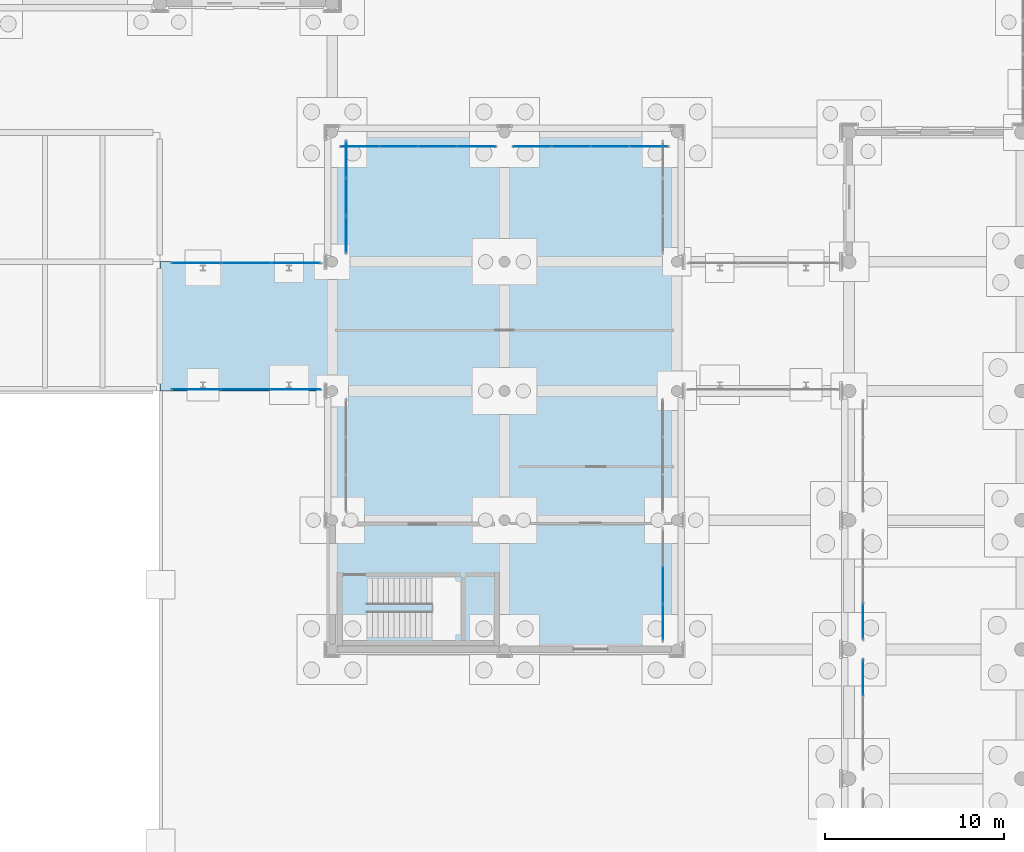
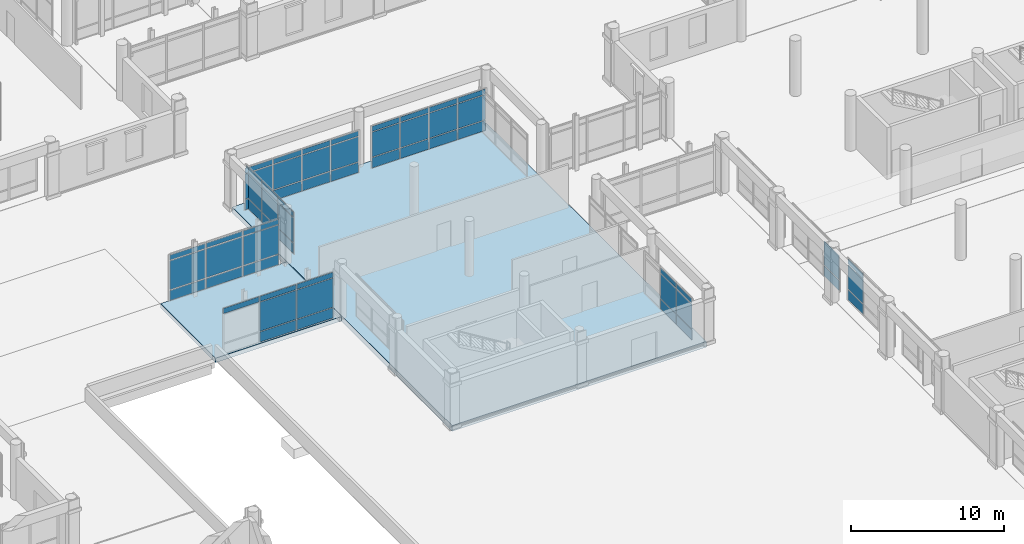
# One storey, part 146 of 196: 60 plates, 2 slabs, 8 elements without a shape of their own.
"""IFC4 building model written with IfcOpenShell, lengths in metres."""

from ifc_helpers import new_model, si_unit, direction, frame, origin, origin_2d, place, context, subcontext, project, spatial, polyline, rectangle, outline, extrude, material, layer, layer_set, type_object, element, aggregate, save


model = new_model("IFC4")

# Units and contexts
model_context = context("Model", 3, precision=1e-05, world=origin(), true_north=direction((0.0, 1.0)))
body_context = subcontext(model_context, "Body", "Model", "MODEL_VIEW")
ifc_project = project(units=[si_unit("LENGTHUNIT", "METRE"), si_unit("AREAUNIT", "SQUARE_METRE"), si_unit("VOLUMEUNIT", "CUBIC_METRE"), si_unit("PLANEANGLEUNIT", "RADIAN"), si_unit("MASSUNIT", "GRAM", prefix="KILO")], contexts=[model_context])

# Site, building, storey
site_placement = place(None, origin())
site = spatial("IfcSite", under=ifc_project, at=site_placement, CompositionType="ELEMENT")
building_placement = place(site_placement, origin())
building = spatial("IfcBuilding", under=site, at=building_placement, Name="Asteropetra Specialist Clinic", CompositionType="ELEMENT")
storey_placement = place(building_placement, origin())
storey = spatial("IfcBuildingStorey", under=building, at=storey_placement, Name="L00", CompositionType="ELEMENT", Elevation=0.0)

# Curtain wall, plates
ifc_material_1 = material(Name="Aluminium and low-E glass", Category="aluminium")
ifc_layer_1 = layer(ifc_material_1, 0.14990234375)
ifc_layer_set_1 = layer_set([ifc_layer_1], Name="Aluminium and low-E glass")
curtain_wall_type_1 = type_object("IfcCurtainWallType", Name="CW-SYS-11", PredefinedType="USERDEFINED", material=ifc_layer_set_1)
curtain_wall_1_placement = place(storey_placement, origin())
curtain_wall_1 = element("IfcCurtainWall", 1, at=curtain_wall_1_placement, inside=storey, type_object=curtain_wall_type_1, Name="Curtain Wall CW-168", ObjectType="STICK GLAZED COLONNADE", PredefinedType="USERDEFINED")
ifc_material_2 = material(Name="Low-E double glazing", Category="glass")
ifc_layer_2 = layer(ifc_material_2, 0.028076171875)
ifc_layer_set_2 = layer_set([ifc_layer_2], Name="Low-E double glazing")
plate_type_1 = type_object("IfcPlateType", Name="CWP-GLZ-28", PredefinedType="CURTAIN_PANEL", material=ifc_layer_set_2)
plate_1_placement = place(storey_placement, frame((95.219970703125, 35.12548828125, 0.074951171875), z_axis=(0.0, 0.0, 1.0), x_axis=(0.0, 1.0, 0.0)))
plate_1 = element("IfcPlate", 2, at=plate_1_placement, type_object=plate_type_1, Name="CW-168 panel 1.1", PredefinedType="CURTAIN_PANEL", context=body_context, shape_type="SweptSolid", body=[
    extrude(rectangle(XDim=1.980712890625, YDim=0.028076171875, at=origin_2d()), origin(), (0.0, 0.0, 1.0), 0.78759765625),
])
plate_2_placement = place(storey_placement, frame((95.219970703125, 35.12548828125, 0.9375), z_axis=(0.0, 0.0, 1.0), x_axis=(0.0, 1.0, 0.0)))
plate_2 = element("IfcPlate", 3, at=plate_2_placement, type_object=plate_type_1, Name="CW-168 panel 1.2", PredefinedType="CURTAIN_PANEL", context=body_context, shape_type="SweptSolid", body=[
    extrude(rectangle(XDim=1.980712890625, YDim=0.028076171875, at=origin_2d()), origin(), (0.0, 0.0, 1.0), 1.965087890625),
])
plate_3_placement = place(storey_placement, frame((95.219970703125, 35.12548828125, 2.9775390625), z_axis=(0.0, 0.0, 1.0), x_axis=(0.0, 1.0, 0.0)))
plate_3 = element("IfcPlate", 4, at=plate_3_placement, type_object=plate_type_1, Name="CW-168 panel 1.3", PredefinedType="CURTAIN_PANEL", context=body_context, shape_type="SweptSolid", body=[
    extrude(rectangle(XDim=1.980712890625, YDim=0.028076171875, at=origin_2d()), origin(), (0.0, 0.0, 1.0), 0.387451171875),
])
plate_4_placement = place(storey_placement, frame((95.219970703125, 37.199951171875, 0.074951171875), z_axis=(0.0, 0.0, 1.0), x_axis=(0.0, 1.0, 0.0)))
plate_4 = element("IfcPlate", 5, at=plate_4_placement, type_object=plate_type_1, Name="CW-168 panel 2.1", PredefinedType="CURTAIN_PANEL", context=body_context, shape_type="SweptSolid", body=[
    extrude(rectangle(XDim=2.018310546875, YDim=0.028076171875, at=origin_2d()), origin(), (0.0, 0.0, 1.0), 0.78759765625),
])
plate_5_placement = place(storey_placement, frame((95.219970703125, 37.199951171875, 0.9375), z_axis=(0.0, 0.0, 1.0), x_axis=(0.0, 1.0, 0.0)))
plate_5 = element("IfcPlate", 6, at=plate_5_placement, type_object=plate_type_1, Name="CW-168 panel 2.2", PredefinedType="CURTAIN_PANEL", context=body_context, shape_type="SweptSolid", body=[
    extrude(rectangle(XDim=2.018310546875, YDim=0.028076171875, at=origin_2d()), origin(), (0.0, 0.0, 1.0), 1.965087890625),
])
plate_6_placement = place(storey_placement, frame((95.219970703125, 37.199951171875, 2.9775390625), z_axis=(0.0, 0.0, 1.0), x_axis=(0.0, 1.0, 0.0)))
plate_6 = element("IfcPlate", 7, at=plate_6_placement, type_object=plate_type_1, Name="CW-168 panel 2.3", PredefinedType="CURTAIN_PANEL", context=body_context, shape_type="SweptSolid", body=[
    extrude(rectangle(XDim=2.018310546875, YDim=0.028076171875, at=origin_2d()), origin(), (0.0, 0.0, 1.0), 0.387451171875),
])
aggregate(curtain_wall_1, [plate_1, plate_2, plate_3, plate_4, plate_5, plate_6])

ifc_material_3 = material(Name="Aluminium and low-E glass", Category="aluminium")
ifc_layer_3 = layer(ifc_material_3, 0.14990234375)
ifc_layer_set_3 = layer_set([ifc_layer_3], Name="Aluminium and low-E glass")
curtain_wall_type_2 = type_object("IfcCurtainWallType", Name="CW-SYS-02", PredefinedType="USERDEFINED", material=ifc_layer_set_3)
curtain_wall_2_placement = place(storey_placement, origin())
curtain_wall_2 = element("IfcCurtainWall", 8, at=curtain_wall_2_placement, inside=storey, type_object=curtain_wall_type_2, Name="Curtain Wall CW-113", ObjectType="UNITISED CURTAIN WALL", PredefinedType="USERDEFINED")
ifc_material_4 = material(Name="Low-E acoustic double glazing", Category="glass")
ifc_layer_4 = layer(ifc_material_4, 0.031982421875)
ifc_layer_set_4 = layer_set([ifc_layer_4], Name="Low-E acoustic double glazing")
plate_type_2 = type_object("IfcPlateType", Name="CWP-GLZ-32", PredefinedType="CURTAIN_PANEL", material=ifc_layer_set_4)
plate_7_placement = place(storey_placement, frame((69.2216796875, 48.080078125, 3.2998046875), z_axis=(0.0, 0.0, 1.0), x_axis=(1.0, 0.0, 0.0)))
plate_7 = element("IfcPlate", 9, at=plate_7_placement, type_object=plate_type_2, Name="CW-113 panel 1.3", PredefinedType="CURTAIN_PANEL", context=body_context, shape_type="SweptSolid", body=[
    extrude(rectangle(XDim=2.703369140625, YDim=0.031982421875, at=origin_2d()), origin(), (0.0, 0.0, 1.0), 0.409912109375),
])
plate_8_placement = place(storey_placement, frame((72.0, 48.080078125, 0.06005859375), z_axis=(0.0, 0.0, 1.0), x_axis=(1.0, 0.0, 0.0)))
plate_8 = element("IfcPlate", 10, at=plate_8_placement, type_object=plate_type_2, Name="CW-113 panel 2.1", PredefinedType="CURTAIN_PANEL", context=body_context, shape_type="SweptSolid", body=[
    extrude(rectangle(XDim=2.7333984375, YDim=0.031982421875, at=origin_2d()), origin(), (0.0, 0.0, 1.0), 0.81005859375),
])
plate_9_placement = place(storey_placement, frame((72.0, 48.080078125, 0.929931640625), z_axis=(0.0, 0.0, 1.0), x_axis=(1.0, 0.0, 0.0)))
plate_9 = element("IfcPlate", 11, at=plate_9_placement, type_object=plate_type_2, Name="CW-113 panel 2.2", PredefinedType="CURTAIN_PANEL", context=body_context, shape_type="SweptSolid", body=[
    extrude(rectangle(XDim=2.7333984375, YDim=0.031982421875, at=origin_2d()), origin(), (0.0, 0.0, 1.0), 2.31005859375),
])
plate_10_placement = place(storey_placement, frame((72.0, 48.080078125, 3.2998046875), z_axis=(0.0, 0.0, 1.0), x_axis=(1.0, 0.0, 0.0)))
plate_10 = element("IfcPlate", 12, at=plate_10_placement, type_object=plate_type_2, Name="CW-113 panel 2.3", PredefinedType="CURTAIN_PANEL", context=body_context, shape_type="SweptSolid", body=[
    extrude(rectangle(XDim=2.7333984375, YDim=0.031982421875, at=origin_2d()), origin(), (0.0, 0.0, 1.0), 0.409912109375),
])
plate_11_placement = place(storey_placement, frame((74.7783203125, 48.080078125, 0.06005859375), z_axis=(0.0, 0.0, 1.0), x_axis=(1.0, 0.0, 0.0)))
plate_11 = element("IfcPlate", 13, at=plate_11_placement, type_object=plate_type_2, Name="CW-113 panel 3.1", PredefinedType="CURTAIN_PANEL", context=body_context, shape_type="SweptSolid", body=[
    extrude(rectangle(XDim=2.703369140625, YDim=0.031982421875, at=origin_2d()), origin(), (0.0, 0.0, 1.0), 0.81005859375),
])
plate_12_placement = place(storey_placement, frame((74.7783203125, 48.080078125, 0.929931640625), z_axis=(0.0, 0.0, 1.0), x_axis=(1.0, 0.0, 0.0)))
plate_12 = element("IfcPlate", 14, at=plate_12_placement, type_object=plate_type_2, Name="CW-113 panel 3.2", PredefinedType="CURTAIN_PANEL", context=body_context, shape_type="SweptSolid", body=[
    extrude(rectangle(XDim=2.703369140625, YDim=0.031982421875, at=origin_2d()), origin(), (0.0, 0.0, 1.0), 2.31005859375),
])
plate_13_placement = place(storey_placement, frame((74.7783203125, 48.080078125, 3.2998046875), z_axis=(0.0, 0.0, 1.0), x_axis=(1.0, 0.0, 0.0)))
plate_13 = element("IfcPlate", 15, at=plate_13_placement, type_object=plate_type_2, Name="CW-113 panel 3.3", PredefinedType="CURTAIN_PANEL", context=body_context, shape_type="SweptSolid", body=[
    extrude(rectangle(XDim=2.703369140625, YDim=0.031982421875, at=origin_2d()), origin(), (0.0, 0.0, 1.0), 0.409912109375),
])
aggregate(curtain_wall_2, [plate_7, plate_8, plate_9, plate_10, plate_11, plate_12, plate_13])

ifc_material_5 = material(Name="Aluminium and low-E glass", Category="aluminium")
ifc_layer_5 = layer(ifc_material_5, 0.135009765625)
ifc_layer_set_5 = layer_set([ifc_layer_5], Name="Aluminium and low-E glass")
curtain_wall_type_3 = type_object("IfcCurtainWallType", Name="CW-SYS-12", PredefinedType="USERDEFINED", material=ifc_layer_set_5)
curtain_wall_3_placement = place(storey_placement, origin())
curtain_wall_3 = element("IfcCurtainWall", 16, at=curtain_wall_3_placement, inside=storey, type_object=curtain_wall_type_3, Name="Curtain Wall CW-201", ObjectType="STICK GLAZED COLONNADE", PredefinedType="USERDEFINED")
plate_14_placement = place(storey_placement, frame((106.3798828125, 32.024658203125, 0.074951171875), z_axis=(0.0, 0.0, 1.0), x_axis=(0.0, -1.0, 0.0)))
plate_14 = element("IfcPlate", 17, at=plate_14_placement, type_object=plate_type_2, Name="CW-201 panel 1.1", PredefinedType="CURTAIN_PANEL", context=body_context, shape_type="SweptSolid", body=[
    extrude(rectangle(XDim=1.930908203125, YDim=0.031982421875, at=origin_2d()), origin(), (0.0, 0.0, 1.0), 0.78759765625),
])
plate_15_placement = place(storey_placement, frame((106.3798828125, 32.024658203125, 0.9375), z_axis=(0.0, 0.0, 1.0), x_axis=(0.0, -1.0, 0.0)))
plate_15 = element("IfcPlate", 18, at=plate_15_placement, type_object=plate_type_2, Name="CW-201 panel 1.2", PredefinedType="CURTAIN_PANEL", context=body_context, shape_type="SweptSolid", body=[
    extrude(rectangle(XDim=1.930908203125, YDim=0.031982421875, at=origin_2d()), origin(), (0.0, 0.0, 1.0), 1.925048828125),
])
plate_16_placement = place(storey_placement, frame((106.3798828125, 32.024658203125, 2.9375), z_axis=(0.0, 0.0, 1.0), x_axis=(0.0, -1.0, 0.0)))
plate_16 = element("IfcPlate", 19, at=plate_16_placement, type_object=plate_type_2, Name="CW-201 panel 1.3", PredefinedType="CURTAIN_PANEL", context=body_context, shape_type="SweptSolid", body=[
    extrude(rectangle(XDim=1.930908203125, YDim=0.031982421875, at=origin_2d()), origin(), (0.0, 0.0, 1.0), 0.387451171875),
])
aggregate(curtain_wall_3, [plate_14, plate_15, plate_16])

ifc_material_6 = material(Name="Aluminium and low-E glass", Category="aluminium")
ifc_layer_6 = layer(ifc_material_6, 0.135009765625)
ifc_layer_set_6 = layer_set([ifc_layer_6], Name="Aluminium and low-E glass")
curtain_wall_type_4 = type_object("IfcCurtainWallType", Name="CW-SYS-03", PredefinedType="USERDEFINED", material=ifc_layer_set_6)
curtain_wall_4_placement = place(storey_placement, origin())
curtain_wall_4 = element("IfcCurtainWall", 20, at=curtain_wall_4_placement, inside=storey, type_object=curtain_wall_type_4, Name="Curtain Wall CW-114", ObjectType="UNITISED CURTAIN WALL", PredefinedType="USERDEFINED")
ifc_material_7 = material(Name="Solar-control triple glazing", Category="glass")
ifc_layer_7 = layer(ifc_material_7, 0.035888671875)
ifc_layer_set_7 = layer_set([ifc_layer_7], Name="Solar-control triple glazing")
plate_type_3 = type_object("IfcPlateType", Name="CWP-GLZ-36", PredefinedType="CURTAIN_PANEL", material=ifc_layer_set_7)
plate_17_placement = place(storey_placement, frame((74.774658203125, 55.1201171875, 0.074951171875), z_axis=(0.0, 0.0, 1.0), x_axis=(-1.0, 0.0, 0.0)))
plate_17 = element("IfcPlate", 21, at=plate_17_placement, type_object=plate_type_3, Name="CW-114 panel 1.1", PredefinedType="CURTAIN_PANEL", context=body_context, shape_type="SweptSolid", body=[
    extrude(rectangle(XDim=2.680908203125, YDim=0.035888671875, at=origin_2d()), origin(), (0.0, 0.0, 1.0), 0.78759765625),
])
plate_18_placement = place(storey_placement, frame((74.774658203125, 55.1201171875, 0.9375), z_axis=(0.0, 0.0, 1.0), x_axis=(-1.0, 0.0, 0.0)))
plate_18 = element("IfcPlate", 22, at=plate_18_placement, type_object=plate_type_3, Name="CW-114 panel 1.2", PredefinedType="CURTAIN_PANEL", context=body_context, shape_type="SweptSolid", body=[
    extrude(rectangle(XDim=2.680908203125, YDim=0.035888671875, at=origin_2d()), origin(), (0.0, 0.0, 1.0), 2.294921875),
])
plate_19_placement = place(storey_placement, frame((74.774658203125, 55.1201171875, 3.3076171875), z_axis=(0.0, 0.0, 1.0), x_axis=(-1.0, 0.0, 0.0)))
plate_19 = element("IfcPlate", 23, at=plate_19_placement, type_object=plate_type_3, Name="CW-114 panel 1.3", PredefinedType="CURTAIN_PANEL", context=body_context, shape_type="SweptSolid", body=[
    extrude(rectangle(XDim=2.680908203125, YDim=0.035888671875, at=origin_2d()), origin(), (0.0, 0.0, 1.0), 0.387451171875),
])
plate_20_placement = place(storey_placement, frame((72.0, 55.1201171875, 0.074951171875), z_axis=(0.0, 0.0, 1.0), x_axis=(-1.0, 0.0, 0.0)))
plate_20 = element("IfcPlate", 24, at=plate_20_placement, type_object=plate_type_3, Name="CW-114 panel 2.1", PredefinedType="CURTAIN_PANEL", context=body_context, shape_type="SweptSolid", body=[
    extrude(rectangle(XDim=2.71826171875, YDim=0.035888671875, at=origin_2d()), origin(), (0.0, 0.0, 1.0), 0.78759765625),
])
plate_21_placement = place(storey_placement, frame((72.0, 55.1201171875, 0.9375), z_axis=(0.0, 0.0, 1.0), x_axis=(-1.0, 0.0, 0.0)))
plate_21 = element("IfcPlate", 25, at=plate_21_placement, type_object=plate_type_3, Name="CW-114 panel 2.2", PredefinedType="CURTAIN_PANEL", context=body_context, shape_type="SweptSolid", body=[
    extrude(rectangle(XDim=2.71826171875, YDim=0.035888671875, at=origin_2d()), origin(), (0.0, 0.0, 1.0), 2.294921875),
])
plate_22_placement = place(storey_placement, frame((72.0, 55.1201171875, 3.3076171875), z_axis=(0.0, 0.0, 1.0), x_axis=(-1.0, 0.0, 0.0)))
plate_22 = element("IfcPlate", 26, at=plate_22_placement, type_object=plate_type_3, Name="CW-114 panel 2.3", PredefinedType="CURTAIN_PANEL", context=body_context, shape_type="SweptSolid", body=[
    extrude(rectangle(XDim=2.71826171875, YDim=0.035888671875, at=origin_2d()), origin(), (0.0, 0.0, 1.0), 0.387451171875),
])
plate_23_placement = place(storey_placement, frame((69.225341796875, 55.1201171875, 0.074951171875), z_axis=(0.0, 0.0, 1.0), x_axis=(-1.0, 0.0, 0.0)))
plate_23 = element("IfcPlate", 27, at=plate_23_placement, type_object=plate_type_3, Name="CW-114 panel 3.1", PredefinedType="CURTAIN_PANEL", context=body_context, shape_type="SweptSolid", body=[
    extrude(rectangle(XDim=2.680908203125, YDim=0.035888671875, at=origin_2d()), origin(), (0.0, 0.0, 1.0), 0.78759765625),
])
plate_24_placement = place(storey_placement, frame((69.225341796875, 55.1201171875, 0.9375), z_axis=(0.0, 0.0, 1.0), x_axis=(-1.0, 0.0, 0.0)))
plate_24 = element("IfcPlate", 28, at=plate_24_placement, type_object=plate_type_3, Name="CW-114 panel 3.2", PredefinedType="CURTAIN_PANEL", context=body_context, shape_type="SweptSolid", body=[
    extrude(rectangle(XDim=2.680908203125, YDim=0.035888671875, at=origin_2d()), origin(), (0.0, 0.0, 1.0), 2.294921875),
])
plate_25_placement = place(storey_placement, frame((69.225341796875, 55.1201171875, 3.3076171875), z_axis=(0.0, 0.0, 1.0), x_axis=(-1.0, 0.0, 0.0)))
plate_25 = element("IfcPlate", 29, at=plate_25_placement, type_object=plate_type_3, Name="CW-114 panel 3.3", PredefinedType="CURTAIN_PANEL", context=body_context, shape_type="SweptSolid", body=[
    extrude(rectangle(XDim=2.680908203125, YDim=0.035888671875, at=origin_2d()), origin(), (0.0, 0.0, 1.0), 0.387451171875),
])
aggregate(curtain_wall_4, [plate_17, plate_18, plate_19, plate_20, plate_21, plate_22, plate_23, plate_24, plate_25])

ifc_material_8 = material(Name="Aluminium and low-E glass", Category="aluminium")
ifc_layer_8 = layer(ifc_material_8, 0.135009765625)
ifc_layer_set_8 = layer_set([ifc_layer_8], Name="Aluminium and low-E glass")
curtain_wall_type_5 = type_object("IfcCurtainWallType", Name="CW-SYS-09", PredefinedType="USERDEFINED", material=ifc_layer_set_8)
curtain_wall_5_placement = place(storey_placement, origin())
curtain_wall_5 = element("IfcCurtainWall", 30, at=curtain_wall_5_placement, inside=storey, type_object=curtain_wall_type_5, Name="Curtain Wall CW-166", ObjectType="STICK GLAZED COLONNADE", PredefinedType="USERDEFINED")
plate_26_placement = place(storey_placement, frame((84.8388671875, 61.6201171875, 0.06494140625), z_axis=(0.0, 0.0, 1.0), x_axis=(-1.0, 0.0, 0.0)))
plate_26 = element("IfcPlate", 31, at=plate_26_placement, type_object=plate_type_3, Name="CW-166 panel 1.1", PredefinedType="CURTAIN_PANEL", context=body_context, shape_type="SweptSolid", body=[
    extrude(rectangle(XDim=2.072509765625, YDim=0.035888671875, at=origin_2d()), origin(), (0.0, 0.0, 1.0), 0.802490234375),
])
plate_27_placement = place(storey_placement, frame((84.8388671875, 61.6201171875, 0.932373046875), z_axis=(0.0, 0.0, 1.0), x_axis=(-1.0, 0.0, 0.0)))
plate_27 = element("IfcPlate", 32, at=plate_27_placement, type_object=plate_type_3, Name="CW-166 panel 1.2", PredefinedType="CURTAIN_PANEL", context=body_context, shape_type="SweptSolid", body=[
    extrude(rectangle(XDim=2.072509765625, YDim=0.035888671875, at=origin_2d()), origin(), (0.0, 0.0, 1.0), 1.97509765625),
])
plate_28_placement = place(storey_placement, frame((84.8388671875, 61.6201171875, 2.97265625), z_axis=(0.0, 0.0, 1.0), x_axis=(-1.0, 0.0, 0.0)))
plate_28 = element("IfcPlate", 33, at=plate_28_placement, type_object=plate_type_3, Name="CW-166 panel 1.3", PredefinedType="CURTAIN_PANEL", context=body_context, shape_type="SweptSolid", body=[
    extrude(rectangle(XDim=2.072509765625, YDim=0.035888671875, at=origin_2d()), origin(), (0.0, 0.0, 1.0), 0.402587890625),
])
plate_29_placement = place(storey_placement, frame((82.68505859375, 61.6201171875, 0.06494140625), z_axis=(0.0, 0.0, 1.0), x_axis=(-1.0, 0.0, 0.0)))
plate_29 = element("IfcPlate", 34, at=plate_29_placement, type_object=plate_type_3, Name="CW-166 panel 2.1", PredefinedType="CURTAIN_PANEL", context=body_context, shape_type="SweptSolid", body=[
    extrude(rectangle(XDim=2.10498046875, YDim=0.035888671875, at=origin_2d()), origin(), (0.0, 0.0, 1.0), 0.802490234375),
])
plate_30_placement = place(storey_placement, frame((82.68505859375, 61.6201171875, 0.932373046875), z_axis=(0.0, 0.0, 1.0), x_axis=(-1.0, 0.0, 0.0)))
plate_30 = element("IfcPlate", 35, at=plate_30_placement, type_object=plate_type_3, Name="CW-166 panel 2.2", PredefinedType="CURTAIN_PANEL", context=body_context, shape_type="SweptSolid", body=[
    extrude(rectangle(XDim=2.10498046875, YDim=0.035888671875, at=origin_2d()), origin(), (0.0, 0.0, 1.0), 1.97509765625),
])
plate_31_placement = place(storey_placement, frame((82.68505859375, 61.6201171875, 2.97265625), z_axis=(0.0, 0.0, 1.0), x_axis=(-1.0, 0.0, 0.0)))
plate_31 = element("IfcPlate", 36, at=plate_31_placement, type_object=plate_type_3, Name="CW-166 panel 2.3", PredefinedType="CURTAIN_PANEL", context=body_context, shape_type="SweptSolid", body=[
    extrude(rectangle(XDim=2.10498046875, YDim=0.035888671875, at=origin_2d()), origin(), (0.0, 0.0, 1.0), 0.402587890625),
])
plate_32_placement = place(storey_placement, frame((80.514892578125, 61.6201171875, 0.06494140625), z_axis=(0.0, 0.0, 1.0), x_axis=(-1.0, 0.0, 0.0)))
plate_32 = element("IfcPlate", 37, at=plate_32_placement, type_object=plate_type_3, Name="CW-166 panel 3.1", PredefinedType="CURTAIN_PANEL", context=body_context, shape_type="SweptSolid", body=[
    extrude(rectangle(XDim=2.10498046875, YDim=0.035888671875, at=origin_2d()), origin(), (0.0, 0.0, 1.0), 0.802490234375),
])
plate_33_placement = place(storey_placement, frame((80.514892578125, 61.6201171875, 0.932373046875), z_axis=(0.0, 0.0, 1.0), x_axis=(-1.0, 0.0, 0.0)))
plate_33 = element("IfcPlate", 38, at=plate_33_placement, type_object=plate_type_3, Name="CW-166 panel 3.2", PredefinedType="CURTAIN_PANEL", context=body_context, shape_type="SweptSolid", body=[
    extrude(rectangle(XDim=2.10498046875, YDim=0.035888671875, at=origin_2d()), origin(), (0.0, 0.0, 1.0), 1.97509765625),
])
plate_34_placement = place(storey_placement, frame((80.514892578125, 61.6201171875, 2.97265625), z_axis=(0.0, 0.0, 1.0), x_axis=(-1.0, 0.0, 0.0)))
plate_34 = element("IfcPlate", 39, at=plate_34_placement, type_object=plate_type_3, Name="CW-166 panel 3.3", PredefinedType="CURTAIN_PANEL", context=body_context, shape_type="SweptSolid", body=[
    extrude(rectangle(XDim=2.10498046875, YDim=0.035888671875, at=origin_2d()), origin(), (0.0, 0.0, 1.0), 0.402587890625),
])
plate_35_placement = place(storey_placement, frame((78.361328125, 61.6201171875, 0.06494140625), z_axis=(0.0, 0.0, 1.0), x_axis=(-1.0, 0.0, 0.0)))
plate_35 = element("IfcPlate", 40, at=plate_35_placement, type_object=plate_type_3, Name="CW-166 panel 4.1", PredefinedType="CURTAIN_PANEL", context=body_context, shape_type="SweptSolid", body=[
    extrude(rectangle(XDim=2.072509765625, YDim=0.035888671875, at=origin_2d()), origin(), (0.0, 0.0, 1.0), 0.802490234375),
])
plate_36_placement = place(storey_placement, frame((78.361328125, 61.6201171875, 0.932373046875), z_axis=(0.0, 0.0, 1.0), x_axis=(-1.0, 0.0, 0.0)))
plate_36 = element("IfcPlate", 41, at=plate_36_placement, type_object=plate_type_3, Name="CW-166 panel 4.2", PredefinedType="CURTAIN_PANEL", context=body_context, shape_type="SweptSolid", body=[
    extrude(rectangle(XDim=2.072509765625, YDim=0.035888671875, at=origin_2d()), origin(), (0.0, 0.0, 1.0), 1.97509765625),
])
plate_37_placement = place(storey_placement, frame((78.361328125, 61.6201171875, 2.97265625), z_axis=(0.0, 0.0, 1.0), x_axis=(-1.0, 0.0, 0.0)))
plate_37 = element("IfcPlate", 42, at=plate_37_placement, type_object=plate_type_3, Name="CW-166 panel 4.3", PredefinedType="CURTAIN_PANEL", context=body_context, shape_type="SweptSolid", body=[
    extrude(rectangle(XDim=2.072509765625, YDim=0.035888671875, at=origin_2d()), origin(), (0.0, 0.0, 1.0), 0.402587890625),
])
aggregate(curtain_wall_5, [plate_26, plate_27, plate_28, plate_29, plate_30, plate_31, plate_32, plate_33, plate_34, plate_35, plate_36, plate_37])

curtain_wall_6_placement = place(storey_placement, origin())
curtain_wall_6 = element("IfcCurtainWall", 43, at=curtain_wall_6_placement, inside=storey, type_object=curtain_wall_type_1, Name="Curtain Wall CW-202", ObjectType="STICK GLAZED COLONNADE", PredefinedType="USERDEFINED")
plate_38_placement = place(storey_placement, frame((106.3798828125, 35.1728515625, 0.06494140625), z_axis=(0.0, 0.0, 1.0), x_axis=(0.0, -1.0, 0.0)))
plate_38 = element("IfcPlate", 44, at=plate_38_placement, type_object=plate_type_3, Name="CW-202 panel 3.1", PredefinedType="CURTAIN_PANEL", context=body_context, shape_type="SweptSolid", body=[
    extrude(rectangle(XDim=1.94580078125, YDim=0.035888671875, at=origin_2d()), origin(), (0.0, 0.0, 1.0), 0.802490234375),
])
plate_39_placement = place(storey_placement, frame((106.3798828125, 35.1728515625, 0.932373046875), z_axis=(0.0, 0.0, 1.0), x_axis=(0.0, -1.0, 0.0)))
plate_39 = element("IfcPlate", 45, at=plate_39_placement, type_object=plate_type_3, Name="CW-202 panel 3.2", PredefinedType="CURTAIN_PANEL", context=body_context, shape_type="SweptSolid", body=[
    extrude(rectangle(XDim=1.94580078125, YDim=0.035888671875, at=origin_2d()), origin(), (0.0, 0.0, 1.0), 1.93505859375),
])
aggregate(curtain_wall_6, [plate_38, plate_39])

curtain_wall_7_placement = place(storey_placement, origin())
curtain_wall_7 = element("IfcCurtainWall", 46, at=curtain_wall_7_placement, inside=storey, type_object=curtain_wall_type_1, Name="Curtain Wall CW-167", ObjectType="STICK GLAZED COLONNADE", PredefinedType="USERDEFINED")
ifc_material_9 = material(Name="Laminated skylight glazing", Category="glass")
ifc_layer_9 = layer(ifc_material_9, 0.0400390625)
ifc_layer_set_9 = layer_set([ifc_layer_9], Name="Laminated skylight glazing")
plate_type_4 = type_object("IfcPlateType", Name="CWP-GLZ-40", PredefinedType="CURTAIN_PANEL", material=ifc_layer_set_9)
plate_40_placement = place(storey_placement, frame((94.43994140625, 61.6201171875, 0.06005859375), z_axis=(0.0, 0.0, 1.0), x_axis=(-1.0, 0.0, 0.0)))
plate_40 = element("IfcPlate", 47, at=plate_40_placement, type_object=plate_type_4, Name="CW-167 panel 1.1", PredefinedType="CURTAIN_PANEL", context=body_context, shape_type="SweptSolid", body=[
    extrude(rectangle(XDim=2.080078125, YDim=0.0400390625, at=origin_2d()), origin(), (0.0, 0.0, 1.0), 0.81005859375),
])
plate_41_placement = place(storey_placement, frame((94.43994140625, 61.6201171875, 0.929931640625), z_axis=(0.0, 0.0, 1.0), x_axis=(-1.0, 0.0, 0.0)))
plate_41 = element("IfcPlate", 48, at=plate_41_placement, type_object=plate_type_4, Name="CW-167 panel 1.2", PredefinedType="CURTAIN_PANEL", context=body_context, shape_type="SweptSolid", body=[
    extrude(rectangle(XDim=2.080078125, YDim=0.0400390625, at=origin_2d()), origin(), (0.0, 0.0, 1.0), 1.97998046875),
])
plate_42_placement = place(storey_placement, frame((94.43994140625, 61.6201171875, 2.97021484375), z_axis=(0.0, 0.0, 1.0), x_axis=(-1.0, 0.0, 0.0)))
plate_42 = element("IfcPlate", 49, at=plate_42_placement, type_object=plate_type_4, Name="CW-167 panel 1.3", PredefinedType="CURTAIN_PANEL", context=body_context, shape_type="SweptSolid", body=[
    extrude(rectangle(XDim=2.080078125, YDim=0.0400390625, at=origin_2d()), origin(), (0.0, 0.0, 1.0), 0.409912109375),
])
plate_43_placement = place(storey_placement, frame((92.284912109375, 61.6201171875, 0.06005859375), z_axis=(0.0, 0.0, 1.0), x_axis=(-1.0, 0.0, 0.0)))
plate_43 = element("IfcPlate", 50, at=plate_43_placement, type_object=plate_type_4, Name="CW-167 panel 2.1", PredefinedType="CURTAIN_PANEL", context=body_context, shape_type="SweptSolid", body=[
    extrude(rectangle(XDim=2.110107421875, YDim=0.0400390625, at=origin_2d()), origin(), (0.0, 0.0, 1.0), 0.81005859375),
])
plate_44_placement = place(storey_placement, frame((92.284912109375, 61.6201171875, 0.929931640625), z_axis=(0.0, 0.0, 1.0), x_axis=(-1.0, 0.0, 0.0)))
plate_44 = element("IfcPlate", 51, at=plate_44_placement, type_object=plate_type_4, Name="CW-167 panel 2.2", PredefinedType="CURTAIN_PANEL", context=body_context, shape_type="SweptSolid", body=[
    extrude(rectangle(XDim=2.110107421875, YDim=0.0400390625, at=origin_2d()), origin(), (0.0, 0.0, 1.0), 1.97998046875),
])
plate_45_placement = place(storey_placement, frame((92.284912109375, 61.6201171875, 2.97021484375), z_axis=(0.0, 0.0, 1.0), x_axis=(-1.0, 0.0, 0.0)))
plate_45 = element("IfcPlate", 52, at=plate_45_placement, type_object=plate_type_4, Name="CW-167 panel 2.3", PredefinedType="CURTAIN_PANEL", context=body_context, shape_type="SweptSolid", body=[
    extrude(rectangle(XDim=2.110107421875, YDim=0.0400390625, at=origin_2d()), origin(), (0.0, 0.0, 1.0), 0.409912109375),
])
plate_46_placement = place(storey_placement, frame((90.114990234375, 61.6201171875, 0.06005859375), z_axis=(0.0, 0.0, 1.0), x_axis=(-1.0, 0.0, 0.0)))
plate_46 = element("IfcPlate", 53, at=plate_46_placement, type_object=plate_type_4, Name="CW-167 panel 3.1", PredefinedType="CURTAIN_PANEL", context=body_context, shape_type="SweptSolid", body=[
    extrude(rectangle(XDim=2.110107421875, YDim=0.0400390625, at=origin_2d()), origin(), (0.0, 0.0, 1.0), 0.81005859375),
])
plate_47_placement = place(storey_placement, frame((90.114990234375, 61.6201171875, 0.929931640625), z_axis=(0.0, 0.0, 1.0), x_axis=(-1.0, 0.0, 0.0)))
plate_47 = element("IfcPlate", 54, at=plate_47_placement, type_object=plate_type_4, Name="CW-167 panel 3.2", PredefinedType="CURTAIN_PANEL", context=body_context, shape_type="SweptSolid", body=[
    extrude(rectangle(XDim=2.110107421875, YDim=0.0400390625, at=origin_2d()), origin(), (0.0, 0.0, 1.0), 1.97998046875),
])
plate_48_placement = place(storey_placement, frame((90.114990234375, 61.6201171875, 2.97021484375), z_axis=(0.0, 0.0, 1.0), x_axis=(-1.0, 0.0, 0.0)))
plate_48 = element("IfcPlate", 55, at=plate_48_placement, type_object=plate_type_4, Name="CW-167 panel 3.3", PredefinedType="CURTAIN_PANEL", context=body_context, shape_type="SweptSolid", body=[
    extrude(rectangle(XDim=2.110107421875, YDim=0.0400390625, at=origin_2d()), origin(), (0.0, 0.0, 1.0), 0.409912109375),
])
plate_49_placement = place(storey_placement, frame((87.9599609375, 61.6201171875, 0.06005859375), z_axis=(0.0, 0.0, 1.0), x_axis=(-1.0, 0.0, 0.0)))
plate_49 = element("IfcPlate", 56, at=plate_49_placement, type_object=plate_type_4, Name="CW-167 panel 4.1", PredefinedType="CURTAIN_PANEL", context=body_context, shape_type="SweptSolid", body=[
    extrude(rectangle(XDim=2.080078125, YDim=0.0400390625, at=origin_2d()), origin(), (0.0, 0.0, 1.0), 0.81005859375),
])
plate_50_placement = place(storey_placement, frame((87.9599609375, 61.6201171875, 0.929931640625), z_axis=(0.0, 0.0, 1.0), x_axis=(-1.0, 0.0, 0.0)))
plate_50 = element("IfcPlate", 57, at=plate_50_placement, type_object=plate_type_4, Name="CW-167 panel 4.2", PredefinedType="CURTAIN_PANEL", context=body_context, shape_type="SweptSolid", body=[
    extrude(rectangle(XDim=2.080078125, YDim=0.0400390625, at=origin_2d()), origin(), (0.0, 0.0, 1.0), 1.97998046875),
])
plate_51_placement = place(storey_placement, frame((87.9599609375, 61.6201171875, 2.97021484375), z_axis=(0.0, 0.0, 1.0), x_axis=(-1.0, 0.0, 0.0)))
plate_51 = element("IfcPlate", 58, at=plate_51_placement, type_object=plate_type_4, Name="CW-167 panel 4.3", PredefinedType="CURTAIN_PANEL", context=body_context, shape_type="SweptSolid", body=[
    extrude(rectangle(XDim=2.080078125, YDim=0.0400390625, at=origin_2d()), origin(), (0.0, 0.0, 1.0), 0.409912109375),
])
aggregate(curtain_wall_7, [plate_40, plate_41, plate_42, plate_43, plate_44, plate_45, plate_46, plate_47, plate_48, plate_49, plate_50, plate_51])

ifc_material_10 = material(Name="Aluminium and low-E glass", Category="aluminium")
ifc_layer_10 = layer(ifc_material_10, 0.179931640625)
ifc_layer_set_10 = layer_set([ifc_layer_10], Name="Aluminium and low-E glass")
curtain_wall_type_6 = type_object("IfcCurtainWallType", Name="CW-SYS-01", PredefinedType="USERDEFINED", material=ifc_layer_set_10)
curtain_wall_8_placement = place(storey_placement, origin())
curtain_wall_8 = element("IfcCurtainWall", 59, at=curtain_wall_8_placement, inside=storey, type_object=curtain_wall_type_6, Name="Curtain Wall CW-171", ObjectType="UNITISED CURTAIN WALL", PredefinedType="USERDEFINED")
plate_52_placement = place(storey_placement, frame((77.580078125, 60.87451171875, 0.074951171875), z_axis=(0.0, 0.0, 1.0), x_axis=(0.0, -1.0, 0.0)))
plate_52 = element("IfcPlate", 60, at=plate_52_placement, type_object=plate_type_4, Name="CW-171 panel 1.1", PredefinedType="CURTAIN_PANEL", context=body_context, shape_type="SweptSolid", body=[
    extrude(rectangle(XDim=1.980712890625, YDim=0.0400390625, at=origin_2d()), origin(), (0.0, 0.0, 1.0), 0.78759765625),
])
plate_53_placement = place(storey_placement, frame((77.580078125, 60.87451171875, 0.9375), z_axis=(0.0, 0.0, 1.0), x_axis=(0.0, -1.0, 0.0)))
plate_53 = element("IfcPlate", 61, at=plate_53_placement, type_object=plate_type_4, Name="CW-171 panel 1.2", PredefinedType="CURTAIN_PANEL", context=body_context, shape_type="SweptSolid", body=[
    extrude(rectangle(XDim=1.980712890625, YDim=0.0400390625, at=origin_2d()), origin(), (0.0, 0.0, 1.0), 1.965087890625),
])
plate_54_placement = place(storey_placement, frame((77.580078125, 60.87451171875, 2.9775390625), z_axis=(0.0, 0.0, 1.0), x_axis=(0.0, -1.0, 0.0)))
plate_54 = element("IfcPlate", 62, at=plate_54_placement, type_object=plate_type_4, Name="CW-171 panel 1.3", PredefinedType="CURTAIN_PANEL", context=body_context, shape_type="SweptSolid", body=[
    extrude(rectangle(XDim=1.980712890625, YDim=0.0400390625, at=origin_2d()), origin(), (0.0, 0.0, 1.0), 0.387451171875),
])
plate_55_placement = place(storey_placement, frame((77.580078125, 58.800048828125, 0.074951171875), z_axis=(0.0, 0.0, 1.0), x_axis=(0.0, -1.0, 0.0)))
plate_55 = element("IfcPlate", 63, at=plate_55_placement, type_object=plate_type_4, Name="CW-171 panel 2.1", PredefinedType="CURTAIN_PANEL", context=body_context, shape_type="SweptSolid", body=[
    extrude(rectangle(XDim=2.018310546875, YDim=0.0400390625, at=origin_2d()), origin(), (0.0, 0.0, 1.0), 0.78759765625),
])
plate_56_placement = place(storey_placement, frame((77.580078125, 58.800048828125, 0.9375), z_axis=(0.0, 0.0, 1.0), x_axis=(0.0, -1.0, 0.0)))
plate_56 = element("IfcPlate", 64, at=plate_56_placement, type_object=plate_type_4, Name="CW-171 panel 2.2", PredefinedType="CURTAIN_PANEL", context=body_context, shape_type="SweptSolid", body=[
    extrude(rectangle(XDim=2.018310546875, YDim=0.0400390625, at=origin_2d()), origin(), (0.0, 0.0, 1.0), 1.965087890625),
])
plate_57_placement = place(storey_placement, frame((77.580078125, 58.800048828125, 2.9775390625), z_axis=(0.0, 0.0, 1.0), x_axis=(0.0, -1.0, 0.0)))
plate_57 = element("IfcPlate", 65, at=plate_57_placement, type_object=plate_type_4, Name="CW-171 panel 2.3", PredefinedType="CURTAIN_PANEL", context=body_context, shape_type="SweptSolid", body=[
    extrude(rectangle(XDim=2.018310546875, YDim=0.0400390625, at=origin_2d()), origin(), (0.0, 0.0, 1.0), 0.387451171875),
])
plate_58_placement = place(storey_placement, frame((77.580078125, 56.725341796875, 0.074951171875), z_axis=(0.0, 0.0, 1.0), x_axis=(0.0, -1.0, 0.0)))
plate_58 = element("IfcPlate", 66, at=plate_58_placement, type_object=plate_type_4, Name="CW-171 panel 3.1", PredefinedType="CURTAIN_PANEL", context=body_context, shape_type="SweptSolid", body=[
    extrude(rectangle(XDim=1.980712890625, YDim=0.0400390625, at=origin_2d()), origin(), (0.0, 0.0, 1.0), 0.78759765625),
])
plate_59_placement = place(storey_placement, frame((77.580078125, 56.725341796875, 0.9375), z_axis=(0.0, 0.0, 1.0), x_axis=(0.0, -1.0, 0.0)))
plate_59 = element("IfcPlate", 67, at=plate_59_placement, type_object=plate_type_4, Name="CW-171 panel 3.2", PredefinedType="CURTAIN_PANEL", context=body_context, shape_type="SweptSolid", body=[
    extrude(rectangle(XDim=1.980712890625, YDim=0.0400390625, at=origin_2d()), origin(), (0.0, 0.0, 1.0), 1.965087890625),
])
plate_60_placement = place(storey_placement, frame((77.580078125, 56.725341796875, 2.9775390625), z_axis=(0.0, 0.0, 1.0), x_axis=(0.0, -1.0, 0.0)))
plate_60 = element("IfcPlate", 68, at=plate_60_placement, type_object=plate_type_4, Name="CW-171 panel 3.3", PredefinedType="CURTAIN_PANEL", context=body_context, shape_type="SweptSolid", body=[
    extrude(rectangle(XDim=1.980712890625, YDim=0.0400390625, at=origin_2d()), origin(), (0.0, 0.0, 1.0), 0.387451171875),
])
aggregate(curtain_wall_8, [plate_52, plate_53, plate_54, plate_55, plate_56, plate_57, plate_58, plate_59, plate_60])

# Slabs
ifc_material_11 = material(Name="Concrete C35/45", Category="concrete")
ifc_layer_11 = layer(ifc_material_11, 0.35009765625)
ifc_layer_set_11 = layer_set([ifc_layer_11], Name="Concrete C35/45")
slab_type_1 = type_object("IfcSlabType", Name="SLB-BASE-350", PredefinedType="BASESLAB", material=ifc_layer_set_11)
slab_1_placement = place(storey_placement, frame((0.0, 0.0, -0.35009765625)))
element("IfcSlab", 69, at=slab_1_placement, inside=storey, type_object=slab_type_1, Name="Slab LP4W-G L00", PredefinedType="BASESLAB", context=body_context, shape_type="SweptSolid", body=[
    extrude(outline(polyline([(67.239990234375, 48.0), (76.760009765625, 48.0), (76.760009765625, 55.199951171875), (67.239990234375, 55.199951171875), (67.239990234375, 48.0)])), origin(), (0.0, 0.0, 1.0), 0.35009765625),
])
ifc_material_12 = material(Name="Concrete C35/45", Category="concrete")
ifc_layer_12 = layer(ifc_material_12, 0.449951171875)
ifc_layer_set_12 = layer_set([ifc_layer_12], Name="Concrete C35/45")
slab_type_2 = type_object("IfcSlabType", Name="SLB-BASE-450", PredefinedType="BASESLAB", material=ifc_layer_set_12)
slab_2_placement = place(storey_placement, frame((0.0, 0.0, -0.449951171875)))
element("IfcSlab", 70, at=slab_2_placement, inside=storey, type_object=slab_type_2, Name="Slab V3 L00", PredefinedType="BASESLAB", context=body_context, shape_type="SweptSolid", body=[
    extrude(outline(polyline([(76.800048828125, 33.60009765625), (96.0, 33.60009765625), (96.0, 62.39990234375), (76.800048828125, 62.39990234375), (76.800048828125, 33.60009765625)])), origin(), (0.0, 0.0, 1.0), 0.449951171875),
])

save(model, "model.ifc")
